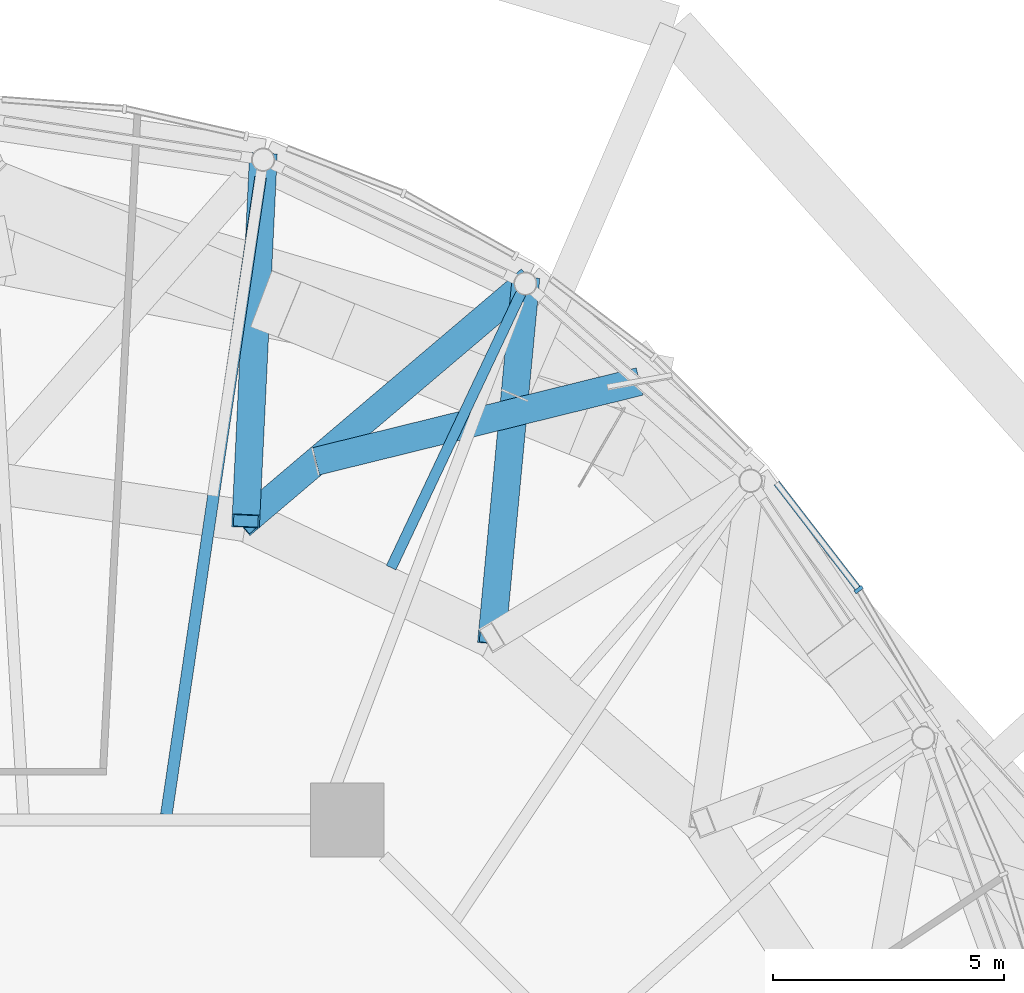
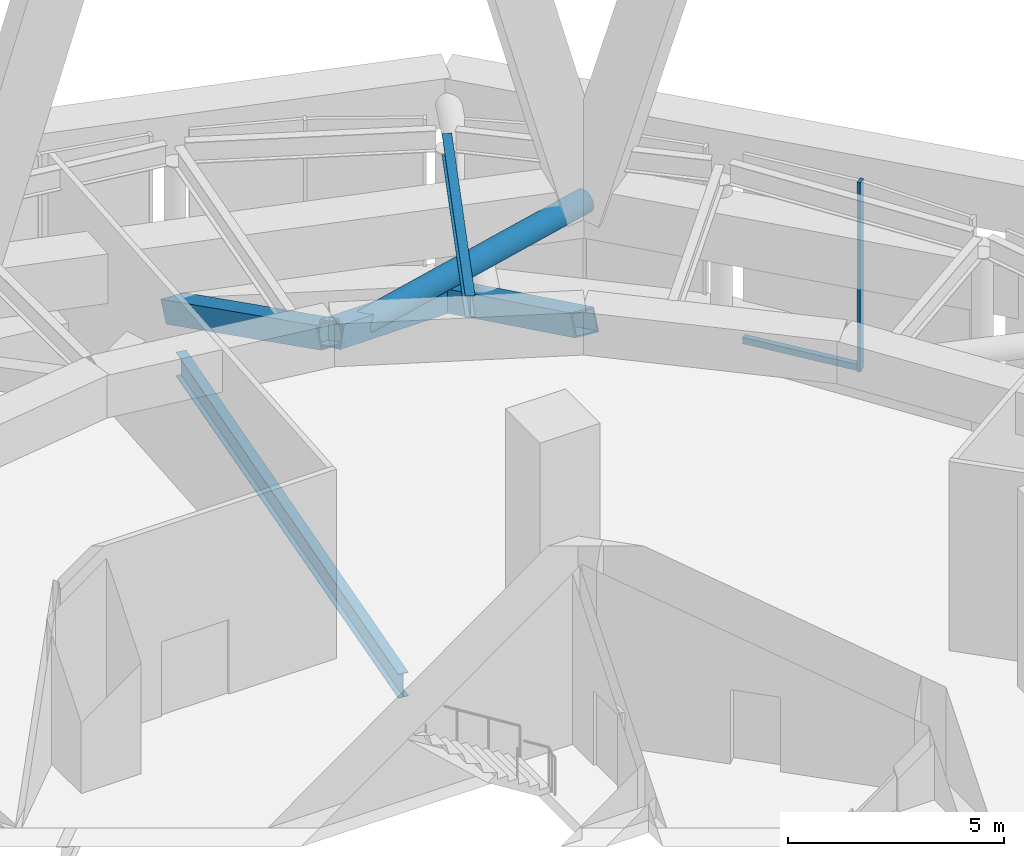
# One storey, part 30 of 48: 5 beams, 3 members, 1 element without a shape of its own.
"""IFC4 building model written with IfcOpenShell, lengths in metres."""

from ifc_helpers import new_model, si_unit, direction, frame, origin, origin_2d, place, context, subcontext, project, spatial, rectangle, hollow_rectangle, hollow_circle, i_section, extrude, material, layer, layer_set, material_profile, profile_set, type_object, element, aggregate, save


model = new_model("IFC4")

# Units and contexts
model_context = context("Model", 3, precision=1e-05, world=origin(), true_north=direction((0.0, 1.0)))
body_context = subcontext(model_context, "Body", "Model", "MODEL_VIEW")
ifc_project = project(units=[si_unit("LENGTHUNIT", "METRE"), si_unit("AREAUNIT", "SQUARE_METRE"), si_unit("VOLUMEUNIT", "CUBIC_METRE"), si_unit("PLANEANGLEUNIT", "RADIAN"), si_unit("MASSUNIT", "GRAM", prefix="KILO")], contexts=[model_context])

# Site, building, storey
site_placement = place(None, origin())
site = spatial("IfcSite", under=ifc_project, at=site_placement, CompositionType="ELEMENT")
building_placement = place(site_placement, origin())
building = spatial("IfcBuilding", under=site, at=building_placement, Name="Nagisa Residences", CompositionType="ELEMENT")
storey_placement = place(building_placement, frame((0.0, 0.0, 252.89990234375)))
storey = spatial("IfcBuildingStorey", under=building, at=storey_placement, Name="L64", CompositionType="ELEMENT", Elevation=252.89990234375)

# Beams
ifc_material_1 = material(Name="Steel ASTM A572 Gr 50", Category="steel")
ifc_material_profile_1 = material_profile(ifc_material_1, hollow_rectangle(XDim=0.60009765625, YDim=0.60009765625, WallThickness=0.034912109375, at=origin_2d()), Name="BX 600x600x35")
ifc_profile_set_1 = profile_set([ifc_material_profile_1], Name="Steel ASTM A572 Gr 50")
beam_type_1 = type_object("IfcBeamType", Name="Belt diagonal 5 BX 600x600x35", PredefinedType="BEAM", material=ifc_profile_set_1)
beam_1_placement = place(storey_placement, frame((9.985107421875, 26.405029296875, 0.60009765625), z_axis=(-0.082953088551, -0.876816939022, 0.473614654063), x_axis=(0.99555456985, -0.094186508854, 0.0)))
element("IfcBeam", 1, at=beam_1_placement, inside=storey, type_object=beam_type_1, Name="beam:L64:bt5da05", PredefinedType="BEAM", context=body_context, shape_type="SweptSolid", body=[
    extrude(hollow_rectangle(XDim=0.60009765625, YDim=0.60009765625, WallThickness=0.034912109375, at=origin_2d()), origin(), (0.0, 0.0, 1.0), 8.740966796875),
])
beam_2_placement = place(storey_placement, frame((9.985107421875, 26.405029296875, 0.60009765625), z_axis=(-0.676219315556, -0.573868337853, 0.461955158081), x_axis=(0.647047259144, -0.762449896343, 0.0)))
element("IfcBeam", 2, at=beam_2_placement, inside=storey, type_object=beam_type_1, Name="beam:L64:bt5db05", PredefinedType="BEAM", context=body_context, shape_type="SweptSolid", body=[
    extrude(hollow_rectangle(XDim=0.60009765625, YDim=0.60009765625, WallThickness=0.034912109375, at=origin_2d()), origin(), (0.0, 0.0, 1.0), 8.961669921875),
])
beam_3_placement = place(storey_placement, frame((4.30029296875, 29.091552734375, 0.60009765625), z_axis=(-0.042331431638, -0.883231412619, 0.467022827771), x_axis=(0.998853432883, -0.047872952893, 0.0)))
element("IfcBeam", 3, at=beam_3_placement, inside=storey, type_object=beam_type_1, Name="beam:L64:bt5da06", PredefinedType="BEAM", context=body_context, shape_type="SweptSolid", body=[
    extrude(hollow_rectangle(XDim=0.60009765625, YDim=0.60009765625, WallThickness=0.034912109375, at=origin_2d()), origin(), (0.0, 0.0, 1.0), 8.864501953125),
])

# Curtain wall, members
ifc_material_2 = material(Name="Aluminium curtain wall system", Category="aluminium")
ifc_layer = layer(ifc_material_2, 0.159912109375)
ifc_layer_set = layer_set([ifc_layer], Name="CW2 CURTAIN WALL")
curtain_wall_type = type_object("IfcCurtainWallType", Name="CW2 CURTAIN WALL", PredefinedType="NOTDEFINED", material=ifc_layer_set)
curtain_wall_placement = place(storey_placement, origin())
curtain_wall = element("IfcCurtainWall", 4, at=curtain_wall_placement, inside=storey, type_object=curtain_wall_type, Name="cw:CW2:L64:05", PredefinedType="NOTDEFINED")
ifc_material_3 = material(Name="Aluminium", Category="aluminium")
ifc_material_profile_2 = material_profile(ifc_material_3, rectangle(XDim=0.199951171875, YDim=0.080078125, at=origin_2d()), Name="CW2 MULLION 200x80")
ifc_profile_set_2 = profile_set([ifc_material_profile_2], Name="Aluminium")
member_type_1 = type_object("IfcMemberType", Name="CW2 MULLION 200x80", PredefinedType="MULLION", material=ifc_profile_set_2)
member_1_placement = place(storey_placement, frame((17.208251953125, 19.7744140625, 0.0), z_axis=(0.0, 0.0, 1.0), x_axis=(-0.792070340816, -0.610429828235, 0.0)))
member_1 = element("IfcMember", 5, at=member_1_placement, type_object=member_type_1, Name="CW2 mullion", PredefinedType="MULLION", context=body_context, shape_type="SweptSolid", body=[
    extrude(rectangle(XDim=0.199951171875, YDim=0.080078125, at=origin_2d()), origin(), (0.0, 0.0, 1.0), 5.340087890625),
])
ifc_material_4 = material(Name="Aluminium", Category="aluminium")
ifc_material_profile_3 = material_profile(ifc_material_4, rectangle(XDim=0.139892578125, YDim=0.179931640625, at=origin_2d()), Name="CW2 TRANSOM 140x180")
ifc_profile_set_3 = profile_set([ifc_material_profile_3], Name="Aluminium")
member_type_2 = type_object("IfcMemberType", Name="CW2 TRANSOM 140x180", PredefinedType="USERDEFINED", material=ifc_profile_set_3)
member_2_placement = place(storey_placement, frame((17.232666015625, 19.742919921875, 0.090087890625), z_axis=(-0.610446226822, 0.792057702544, 0.0), x_axis=(-0.792057702544, -0.610446226822, 0.0)))
member_2 = element("IfcMember", 6, at=member_2_placement, type_object=member_type_2, Name="CW2 transom", ObjectType="TRANSOM", PredefinedType="USERDEFINED", context=body_context, shape_type="SweptSolid", body=[
    extrude(rectangle(XDim=0.139892578125, YDim=0.179931640625, at=origin_2d()), origin(), (0.0, 0.0, 1.0), 2.95068359375),
])
aggregate(curtain_wall, [member_1, member_2])

# Member
ifc_material_5 = material(Name="Steel ASTM A572 Gr 65", Category="steel")
ifc_material_profile_4 = material_profile(ifc_material_5, hollow_circle(Radius=0.304931640625, WallThickness=0.02490234375, at=origin_2d()), Name="CHS 610x25")
ifc_profile_set_4 = profile_set([ifc_material_profile_4], Name="Steel ASTM A572 Gr 65")
member_type_3 = type_object("IfcMemberType", Name="Cage strut CHS 610x25", PredefinedType="STRUT", material=ifc_profile_set_4)
member_3_placement = place(storey_placement, frame((12.4599609375, 24.283447265625, 3.7001953125), z_axis=(-0.970916915467, -0.239416672896, 0.0), x_axis=(0.239416672896, -0.970916915467, 0.0)))
element("IfcMember", 7, at=member_3_placement, inside=storey, type_object=member_type_3, Name="mem:L64:bt5st6b03", PredefinedType="STRUT", context=body_context, shape_type="SweptSolid", body=[
    extrude(hollow_circle(Radius=0.304931640625, WallThickness=0.02490234375, at=origin_2d()), origin(), (0.0, 0.0, 1.0), 7.22265625),
])

# Beams
ifc_material_6 = material(Name="Steel ASTM A572 Gr 50", Category="steel")
ifc_material_profile_5 = material_profile(ifc_material_6, i_section(OverallWidth=0.22802734375, OverallDepth=0.60302734375, WebThickness=0.010498046875, FlangeThickness=0.014892578125, at=origin_2d()), Name="W610x101")
ifc_profile_set_5 = profile_set([ifc_material_profile_5], Name="Steel ASTM A572 Gr 50")
beam_type_2 = type_object("IfcBeamType", Name="Garden radial beam W610x101", PredefinedType="BEAM", material=ifc_profile_set_5)
beam_4_placement = place(storey_placement, frame((9.885009765625, 26.193603515625, 5.03857421875), z_axis=(-0.427305674142, -0.904107217561, 0.0), x_axis=(0.904107217561, -0.427305674142, 0.0)))
element("IfcBeam", 8, at=beam_4_placement, inside=storey, type_object=beam_type_2, Name="beam:L64:bt5gr05", PredefinedType="BEAM", context=body_context, shape_type="SweptSolid", body=[
    extrude(i_section(OverallWidth=0.22802734375, OverallDepth=0.60302734375, WebThickness=0.010498046875, FlangeThickness=0.014892578125, at=origin_2d()), origin(), (0.0, 0.0, 1.0), 6.5751953125),
])
ifc_material_7 = material(Name="Steel ASTM A572 Gr 50", Category="steel")
ifc_material_profile_6 = material_profile(ifc_material_7, i_section(OverallWidth=0.2529296875, OverallDepth=0.677978515625, WebThickness=0.01171875, FlangeThickness=0.016357421875, at=origin_2d()), Name="W690x125")
ifc_profile_set_6 = profile_set([ifc_material_profile_6], Name="Steel ASTM A572 Gr 50")
beam_type_3 = type_object("IfcBeamType", Name="Radial beam W690x125", PredefinedType="BEAM", material=ifc_profile_set_6)
beam_5_placement = place(storey_placement, frame((4.244140625, 28.711181640625, -0.68896484375), z_axis=(-0.146223658272, -0.98925155636, 0.0), x_axis=(0.98925155636, -0.146223658272, 0.0)))
element("IfcBeam", 9, at=beam_5_placement, inside=storey, type_object=beam_type_3, Name="beam:L64:rb06", PredefinedType="BEAM", context=body_context, shape_type="SweptSolid", body=[
    extrude(i_section(OverallWidth=0.2529296875, OverallDepth=0.677978515625, WebThickness=0.01171875, FlangeThickness=0.016357421875, at=origin_2d()), origin(), (0.0, 0.0, 1.0), 13.966552734375),
])

save(model, "model.ifc")
